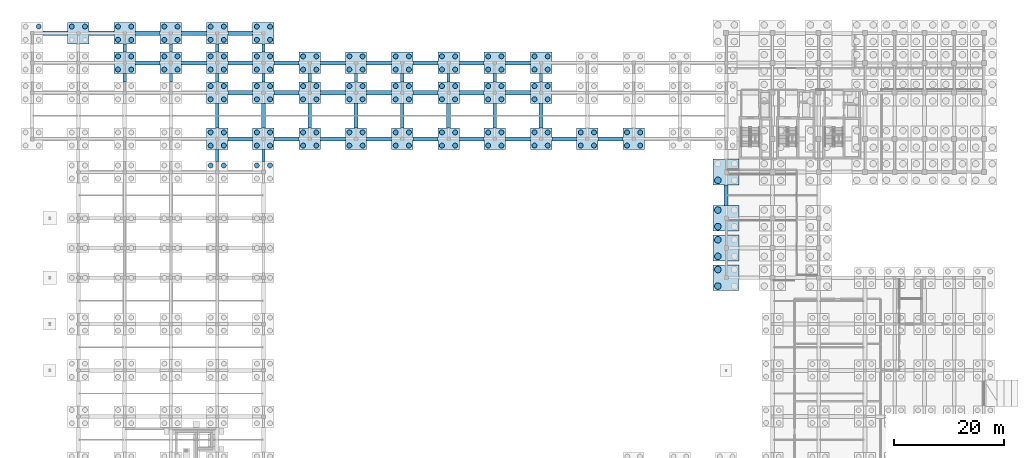
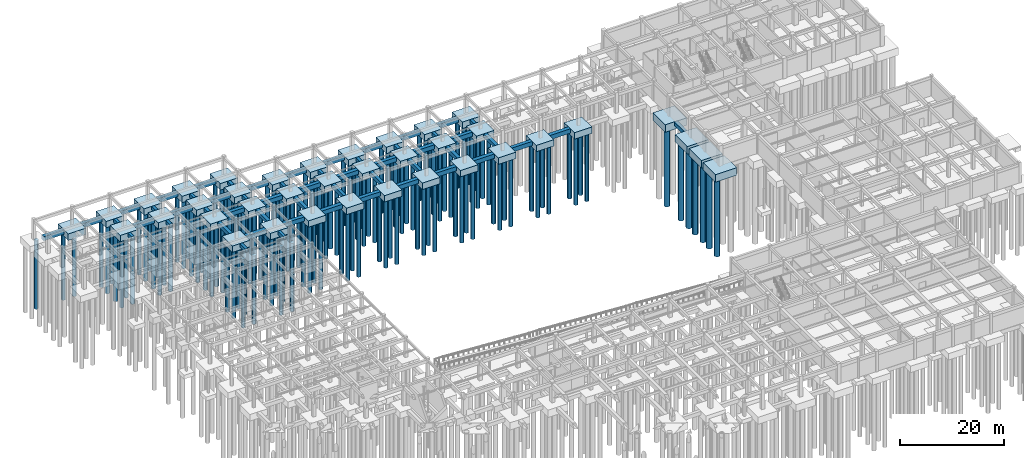
# One storey, part 6 of 49: 142 piles, 92 footings.
"""IFC4 building model written with IfcOpenShell, lengths in metres."""

import ifcopenshell
import ifcopenshell.guid

model = None  # the IFC model being written
_history = None  # IfcOwnerHistory: only IFC2X3 demands one
_inside = {}  # id of a spatial element -> (the spatial element, [elements in it])
_under = {}  # id of a project, library or spatial element -> (it, [spatial elements below it])
_declared = {}  # id of a project -> (the project, [libraries it declares])
_typed = {}  # id of a type object -> (the type object, [elements of that type])
_made_of = {}  # id of a material, layer set ... -> (it, [elements and type objects made of it])


def new_model(schema):
    """Start an empty IFC model of exactly this schema.

    Asked for "IFC4X3", IfcOpenShell would pick the latest addendum, in which some entities
    have other attributes; the version numbers below select the first issue.
    IFC2X3 requires an IfcOwnerHistory on every rooted entity: one is made here for all.
    """
    global model, _history
    if schema == "IFC4X3":
        model = ifcopenshell.file(schema_version=(4, 3, 0, 0))
    else:
        model = ifcopenshell.file(schema=schema)
    _inside.clear()
    _under.clear()
    _declared.clear()
    _typed.clear()
    _made_of.clear()
    _history = None
    if model.schema == "IFC2X3":
        org = make("IfcOrganization", Name="unknown")
        user = make(
            "IfcPersonAndOrganization",
            ThePerson=make("IfcPerson", FamilyName="unknown"),
            TheOrganization=org,
        )
        app = make(
            "IfcApplication",
            ApplicationDeveloper=org,
            Version="unknown",
            ApplicationFullName="unknown",
            ApplicationIdentifier="unknown",
        )
        _history = make(
            "IfcOwnerHistory",
            OwningUser=user,
            OwningApplication=app,
            ChangeAction="ADDED",
            CreationDate=0,
        )
    return model


def make(cls, **values):
    """One entity of the class cls with the attributes given. An attribute that is None is left unset."""
    return model.create_entity(
        cls, **{name: value for name, value in values.items() if value is not None}
    )


def rooted(cls, **values):
    """An entity with a GlobalId (a new one), such as an element, a storey or a relation."""
    return make(cls, GlobalId=ifcopenshell.guid.new(), OwnerHistory=_history, **values)


def si_unit(unit_type, name, prefix=None):
    """IfcSIUnit, for example si_unit("LENGTHUNIT", "METRE", prefix="MILLI")."""
    return make("IfcSIUnit", UnitType=unit_type, Prefix=prefix, Name=name)


def assignment(units):
    """IfcUnitAssignment: the units of a project."""
    return None if units is None else make("IfcUnitAssignment", Units=units)


def point(xyz):
    """IfcCartesianPoint."""
    return None if xyz is None else make("IfcCartesianPoint", Coordinates=xyz)


def direction(xyz):
    """IfcDirection."""
    return None if xyz is None else make("IfcDirection", DirectionRatios=xyz)


def frame(location, z_axis=None, x_axis=None):
    """IfcAxis2Placement3D, a coordinate frame: its origin and axes. An axis left out is left unset."""
    return make(
        "IfcAxis2Placement3D",
        Location=point(location),
        Axis=direction(z_axis),
        RefDirection=direction(x_axis),
    )


def frame_2d(location, x_axis=None):
    """IfcAxis2Placement2D, a coordinate frame in the plane: its origin and x axis."""
    return make(
        "IfcAxis2Placement2D", Location=point(location), RefDirection=direction(x_axis)
    )


def origin():
    """The frame at (0, 0, 0) with its axes left unset."""
    return frame((0.0, 0.0, 0.0))


def origin_2d():
    """The frame at (0, 0) in the plane with its x axis left unset."""
    return frame_2d((0.0, 0.0))


def place(relative_to, where):
    """IfcLocalPlacement: puts the frame where relative to a parent placement (None: the world)."""
    return make(
        "IfcLocalPlacement", PlacementRelTo=relative_to, RelativePlacement=where
    )


def context(
    kind, dimensions, precision=None, world=None, true_north=None, identifier=None
):
    """IfcGeometricRepresentationContext, for example the 3D "Model" context."""
    return make(
        "IfcGeometricRepresentationContext",
        ContextIdentifier=identifier,
        ContextType=kind,
        CoordinateSpaceDimension=dimensions,
        Precision=precision,
        WorldCoordinateSystem=world,
        TrueNorth=true_north,
    )


def subcontext(parent, identifier, kind, view, scale=None):
    """IfcGeometricRepresentationSubContext, for example "Body" below "Model"."""
    return make(
        "IfcGeometricRepresentationSubContext",
        ContextIdentifier=identifier,
        ContextType=kind,
        ParentContext=parent,
        TargetScale=scale,
        TargetView=view,
    )


def project(units=None, contexts=None):
    """IfcProject with its units and contexts."""
    return rooted(
        "IfcProject",
        Name="project",
        RepresentationContexts=contexts,
        UnitsInContext=assignment(units),
    )


def spatial(cls, under=None, at=None, **own):
    """A site, building, storey or space (cls), placed at a placement, below another one or the project."""
    s = rooted(cls, ObjectPlacement=at, **own)
    if under is not None:
        _under.setdefault(under.id(), (under, []))[1].append(s)
    return s


def profile(cls, at=None, kind="AREA", **sizes):
    """A parametric profile (cls). Its sizes go by their IFC names, for example OverallWidth=200.0."""
    return make(cls, ProfileType=kind, Position=at, **sizes)


def rectangle(**sizes):
    """IfcRectangleProfileDef."""
    return profile("IfcRectangleProfileDef", **sizes)


def circle(**sizes):
    """IfcCircleProfileDef."""
    return profile("IfcCircleProfileDef", **sizes)


def extrude(swept, where, along, depth):
    """IfcExtrudedAreaSolid: the profile swept, set in the frame where, extruded along a direction by depth."""
    return make(
        "IfcExtrudedAreaSolid",
        SweptArea=swept,
        Position=where,
        ExtrudedDirection=direction(along),
        Depth=depth,
    )


def shape(context_of_items, identifier, shape_type, items):
    """IfcShapeRepresentation: the items that make up one representation, for example the "Body"."""
    return make(
        "IfcShapeRepresentation",
        ContextOfItems=context_of_items,
        RepresentationIdentifier=identifier,
        RepresentationType=shape_type,
        Items=items,
    )


def material(Name=None, Category=None):
    """IfcMaterial."""
    return make("IfcMaterial", Name=Name, Category=Category)


def material_profile(
    of_material, cross_section, Name=None, Category=None, Priority=None
):
    """IfcMaterialProfile: a cross section and its material."""
    return make(
        "IfcMaterialProfile",
        Name=Name,
        Material=of_material,
        Profile=cross_section,
        Priority=Priority,
        Category=Category,
    )


def profile_set(profiles, Name=None, composite=None):
    """IfcMaterialProfileSet."""
    return make(
        "IfcMaterialProfileSet",
        Name=Name,
        MaterialProfiles=profiles,
        CompositeProfile=composite,
    )


def made_of(thing, what):
    """Note that an element or type object is made of a material, layer set ...; save() writes the relation."""
    if what is not None:
        _made_of.setdefault(what.id(), (what, []))[1].append(thing)
    return thing


def type_object(cls, material=None, **own):
    """A type object (cls), such as IfcWallType, which elements share."""
    return made_of(rooted(cls, **own), material)


def element(
    cls,
    number,
    at=None,
    inside=None,
    cuts=None,
    type_object=None,
    material=None,
    context=None,
    identifier="Body",
    shape_type=None,
    held_by="IfcProductDefinitionShape",
    body=None,
    shapes=None,
    **own,
):
    """One element of the class cls, such as IfcWall. Its Tag is "e" and its number.

    at: its placement. inside: the storey or other place that contains it. cuts: it is an
    opening in that element (IfcRelVoidsElement). A single representation is given by context,
    identifier, shape_type and body (its items); several are given by shapes. held_by: the class
    of the entity that holds the representations. save() writes the other relations.
    """
    e = rooted(cls, Tag="e%d" % number, ObjectPlacement=at, **own)
    if body is not None:
        shapes = [shape(context, identifier, shape_type, body)]
    if shapes is not None:
        e.Representation = make(held_by, Representations=shapes)
    if inside is not None:
        _inside.setdefault(inside.id(), (inside, []))[1].append(e)
    if cuts is not None:
        rooted(
            "IfcRelVoidsElement", RelatingBuildingElement=cuts, RelatedOpeningElement=e
        )
    if type_object is not None:
        _typed.setdefault(type_object.id(), (type_object, []))[1].append(e)
    return made_of(e, material)


def aggregate(whole, parts):
    """IfcRelAggregates: a whole, such as a stair, and the parts it consists of."""
    return rooted("IfcRelAggregates", RelatingObject=whole, RelatedObjects=parts)


def save(model, path):
    """Write the relations noted so far, then the file.

    IfcRelAggregates (storeys below a building ...), IfcRelContainedInSpatialStructure (elements
    in a storey), IfcRelDefinesByType, IfcRelAssociatesMaterial and IfcRelDeclares: one each for
    every whole, place, type object, material and project.
    """
    for whole, parts in _under.values():
        aggregate(whole, parts)
    for where, things in _inside.values():
        rooted(
            "IfcRelContainedInSpatialStructure",
            RelatedElements=things,
            RelatingStructure=where,
        )
    for kind, things in _typed.values():
        rooted("IfcRelDefinesByType", RelatedObjects=things, RelatingType=kind)
    for what, things in _made_of.values():
        rooted("IfcRelAssociatesMaterial", RelatedObjects=things, RelatingMaterial=what)
    for by, libraries in _declared.values():
        rooted("IfcRelDeclares", RelatingContext=by, RelatedDefinitions=libraries)
    model.write(path)


model = new_model("IFC4")

# Units and contexts
model_context = context("Model", 3, precision=1e-05, world=origin(), true_north=direction((0.0, 1.0)))
body_context = subcontext(model_context, "Body", "Model", "MODEL_VIEW")
ifc_project = project(units=[si_unit("LENGTHUNIT", "METRE"), si_unit("AREAUNIT", "SQUARE_METRE"), si_unit("VOLUMEUNIT", "CUBIC_METRE"), si_unit("PLANEANGLEUNIT", "RADIAN"), si_unit("MASSUNIT", "GRAM", prefix="KILO")], contexts=[model_context])

# Site, building, storey
site_placement = place(None, origin())
site = spatial("IfcSite", under=ifc_project, at=site_placement, CompositionType="ELEMENT")
building_placement = place(site_placement, origin())
building = spatial("IfcBuilding", under=site, at=building_placement, Name="Krzemoval Escarpment Law Courts", CompositionType="ELEMENT")
storey_placement = place(building_placement, frame((0.0, 0.0, -4.800048828125)))
storey = spatial("IfcBuildingStorey", under=building, at=storey_placement, Name="B1", CompositionType="ELEMENT", Elevation=-4.800048828125)

# Footings
ifc_material_1 = material(Name="Concrete C35/45", Category="concrete")
footing_type_1 = type_object("IfcFootingType", Name="CAP-4P-3900x3900x1500", PredefinedType="PILE_CAP", material=ifc_material_1)
for number, where, z_axis, x_axis, name in (
    (1, (8.39990234375, 118.800048828125, -1.5), (0.0, 0.0, 1.0), (1.0, 0.0, 0.0), "Pile Cap FC-026"),
    (2, (16.800048828125, 113.39990234375, -1.5), (0.0, 0.0, 1.0), (1.0, 0.0, 0.0), "Pile Cap FC-042"),
    (3, (16.800048828125, 118.800048828125, -1.5), (0.0, 0.0, 1.0), (1.0, 0.0, 0.0), "Pile Cap FC-043"),
    (4, (25.199951171875, 113.39990234375, -1.5), (0.0, 0.0, 1.0), (1.0, 0.0, 0.0), "Pile Cap FC-059"),
    (5, (25.199951171875, 118.800048828125, -1.5), (0.0, 0.0, 1.0), (1.0, 0.0, 0.0), "Pile Cap FC-060"),
    (6, (33.60009765625, 99.60009765625, -1.5), (0.0, 0.0, 1.0), (1.0, 0.0, 0.0), "Pile Cap FC-074"),
    (7, (33.60009765625, 108.0, -1.5), (0.0, 0.0, 1.0), (1.0, 0.0, 0.0), "Pile Cap FC-075"),
    (8, (33.60009765625, 113.39990234375, -1.5), (0.0, 0.0, 1.0), (1.0, 0.0, 0.0), "Pile Cap FC-076"),
    (9, (33.60009765625, 118.800048828125, -1.5), (0.0, 0.0, 1.0), (1.0, 0.0, 0.0), "Pile Cap FC-077"),
    (10, (42.0, 99.60009765625, -1.5), (0.0, 0.0, 1.0), (1.0, 0.0, 0.0), "Pile Cap FC-091"),
    (11, (42.0, 108.0, -1.5), (0.0, 0.0, 1.0), (1.0, 0.0, 0.0), "Pile Cap FC-092"),
    (12, (42.0, 113.39990234375, -1.5), (0.0, 0.0, 1.0), (1.0, 0.0, 0.0), "Pile Cap FC-093"),
    (13, (42.0, 118.800048828125, -1.5), (0.0, 0.0, 1.0), (1.0, 0.0, 0.0), "Pile Cap FC-094"),
    (14, (50.39990234375, 99.60009765625, -1.5), (0.0, 0.0, 1.0), (1.0, 0.0, 0.0), "Pile Cap FC-100"),
    (15, (50.39990234375, 108.0, -1.5), (0.0, 0.0, 1.0), (1.0, 0.0, 0.0), "Pile Cap FC-101"),
    (16, (50.39990234375, 113.39990234375, -1.5), (0.0, 0.0, 1.0), (1.0, 0.0, 0.0), "Pile Cap FC-102"),
    (17, (58.800048828125, 99.60009765625, -1.5), (0.0, 0.0, 1.0), (1.0, 0.0, 0.0), "Pile Cap FC-108"),
    (18, (58.800048828125, 108.0, -1.5), (0.0, 0.0, 1.0), (1.0, 0.0, 0.0), "Pile Cap FC-109"),
    (19, (58.800048828125, 113.39990234375, -1.5), (0.0, 0.0, 1.0), (1.0, 0.0, 0.0), "Pile Cap FC-110"),
    (20, (67.199951171875, 99.60009765625, -1.5), (0.0, 0.0, 1.0), (1.0, 0.0, 0.0), "Pile Cap FC-116"),
    (21, (67.199951171875, 108.0, -1.5), (0.0, 0.0, 1.0), (1.0, 0.0, 0.0), "Pile Cap FC-117"),
    (22, (67.199951171875, 113.39990234375, -1.5), (0.0, 0.0, 1.0), (1.0, 0.0, 0.0), "Pile Cap FC-118"),
    (23, (75.60009765625, 99.60009765625, -1.5), (0.0, 0.0, 1.0), (1.0, 0.0, 0.0), "Pile Cap FC-124"),
    (24, (75.60009765625, 108.0, -1.5), (0.0, 0.0, 1.0), (1.0, 0.0, 0.0), "Pile Cap FC-125"),
    (25, (75.60009765625, 113.39990234375, -1.5), (0.0, 0.0, 1.0), (1.0, 0.0, 0.0), "Pile Cap FC-126"),
    (26, (84.0, 99.60009765625, -1.5), (0.0, 0.0, 1.0), (1.0, 0.0, 0.0), "Pile Cap FC-132"),
    (27, (84.0, 108.0, -1.5), (0.0, 0.0, 1.0), (1.0, 0.0, 0.0), "Pile Cap FC-133"),
    (28, (84.0, 113.39990234375, -1.5), (0.0, 0.0, 1.0), (1.0, 0.0, 0.0), "Pile Cap FC-134"),
    (29, (92.39990234375, 99.60009765625, -1.5), (0.0, 0.0, 1.0), (1.0, 0.0, 0.0), "Pile Cap FC-140"),
    (30, (92.39990234375, 108.0, -1.5), (0.0, 0.0, 1.0), (1.0, 0.0, 0.0), "Pile Cap FC-141"),
    (31, (92.39990234375, 113.39990234375, -1.5), (0.0, 0.0, 1.0), (1.0, 0.0, 0.0), "Pile Cap FC-142"),
    (32, (100.800048828125, 99.60009765625, -1.5), (0.0, 0.0, 1.0), (1.0, 0.0, 0.0), "Pile Cap FC-148"),
    (33, (109.199951171875, 99.60009765625, -1.5), (0.0, 0.0, 1.0), (1.0, 0.0, 0.0), "Pile Cap FC-157"),
):
    element("IfcFooting", number, at=place(storey_placement, frame(where, z_axis=z_axis, x_axis=x_axis)), inside=storey, type_object=footing_type_1, Name=name, PredefinedType="PILE_CAP", context=body_context, shape_type="SweptSolid", body=[
        extrude(rectangle(XDim=3.89990234375, YDim=3.89990234375, at=origin_2d()), origin(), (0.0, 0.0, 1.0), 1.5),
    ])
ifc_material_2 = material(Name="Concrete C35/45", Category="concrete")
footing_type_2 = type_object("IfcFootingType", Name="CAP-4P-4700x4700x1750", PredefinedType="PILE_CAP", material=ifc_material_2)
for number, where, z_axis, x_axis, name in (
    (34, (126.0, 74.39990234375, -1.75), (0.0, 0.0, 1.0), (1.0, 0.0, 0.0), "Pile Cap FC-175"),
    (35, (126.0, 79.800048828125, -1.75), (0.0, 0.0, 1.0), (1.0, 0.0, 0.0), "Pile Cap FC-176"),
    (36, (126.0, 85.199951171875, -1.75), (0.0, 0.0, 1.0), (1.0, 0.0, 0.0), "Pile Cap FC-177"),
    (37, (126.0, 93.60009765625, -1.75), (0.0, 0.0, 1.0), (1.0, 0.0, 0.0), "Pile Cap FC-178"),
):
    element("IfcFooting", number, at=place(storey_placement, frame(where, z_axis=z_axis, x_axis=x_axis)), inside=storey, type_object=footing_type_2, Name=name, PredefinedType="PILE_CAP", context=body_context, shape_type="SweptSolid", body=[
        extrude(rectangle(XDim=4.699951171875, YDim=4.699951171875, at=origin_2d()), origin(), (0.0, 0.0, 1.0), 1.75),
    ])
ifc_material_3 = material(Name="Concrete C35/45", Category="concrete")
footing_type_3 = type_object("IfcFootingType", Name="GB-600x800-L1500", PredefinedType="FOOTING_BEAM", material=ifc_material_3)
for number, where, z_axis, x_axis, name in (
    (38, (16.800048828125, 110.699951171875, -0.7998046875), (0.0, 0.0, 1.0), (0.0, 1.0, 0.0), "Ground Tie Beam GB-251"),
    (39, (16.800048828125, 116.10009765625, -0.7998046875), (0.0, 0.0, 1.0), (0.0, 1.0, 0.0), "Ground Tie Beam GB-252"),
    (40, (25.199951171875, 110.699951171875, -0.7998046875), (0.0, 0.0, 1.0), (0.0, 1.0, 0.0), "Ground Tie Beam GB-267"),
    (41, (25.199951171875, 116.10009765625, -0.7998046875), (0.0, 0.0, 1.0), (0.0, 1.0, 0.0), "Ground Tie Beam GB-268"),
    (42, (33.60009765625, 110.699951171875, -0.7998046875), (0.0, 0.0, 1.0), (0.0, 1.0, 0.0), "Ground Tie Beam GB-283"),
    (43, (33.60009765625, 116.10009765625, -0.7998046875), (0.0, 0.0, 1.0), (0.0, 1.0, 0.0), "Ground Tie Beam GB-284"),
    (44, (42.0, 110.699951171875, -0.7998046875), (0.0, 0.0, 1.0), (0.0, 1.0, 0.0), "Ground Tie Beam GB-298"),
    (45, (42.0, 116.10009765625, -0.7998046875), (0.0, 0.0, 1.0), (0.0, 1.0, 0.0), "Ground Tie Beam GB-299"),
    (46, (50.39990234375, 110.699951171875, -0.7998046875), (0.0, 0.0, 1.0), (0.0, 1.0, 0.0), "Ground Tie Beam GB-304"),
    (47, (58.800048828125, 110.699951171875, -0.7998046875), (0.0, 0.0, 1.0), (0.0, 1.0, 0.0), "Ground Tie Beam GB-309"),
    (48, (67.199951171875, 110.699951171875, -0.7998046875), (0.0, 0.0, 1.0), (0.0, 1.0, 0.0), "Ground Tie Beam GB-314"),
    (49, (75.60009765625, 110.699951171875, -0.7998046875), (0.0, 0.0, 1.0), (0.0, 1.0, 0.0), "Ground Tie Beam GB-319"),
    (50, (84.0, 110.699951171875, -0.7998046875), (0.0, 0.0, 1.0), (0.0, 1.0, 0.0), "Ground Tie Beam GB-324"),
    (51, (92.39990234375, 110.699951171875, -0.7998046875), (0.0, 0.0, 1.0), (0.0, 1.0, 0.0), "Ground Tie Beam GB-329"),
):
    element("IfcFooting", number, at=place(storey_placement, frame(where, z_axis=z_axis, x_axis=x_axis)), inside=storey, type_object=footing_type_3, Name=name, PredefinedType="FOOTING_BEAM", context=body_context, shape_type="SweptSolid", body=[
        extrude(rectangle(XDim=1.5, YDim=0.60009765625, at=origin_2d()), origin(), (0.0, 0.0, 1.0), 0.800048828125),
    ])
ifc_material_4 = material(Name="Concrete C35/45", Category="concrete")
footing_type_4 = type_object("IfcFootingType", Name="GB-600x800-L2100", PredefinedType="FOOTING_BEAM", material=ifc_material_4)
for number, where, z_axis, x_axis, name in (
    (52, (33.60009765625, 96.60009765625, -0.7998046875), (0.0, 0.0, 1.0), (0.0, 1.0, 0.0), "Ground Tie Beam GB-281"),
    (53, (42.0, 96.60009765625, -0.7998046875), (0.0, 0.0, 1.0), (0.0, 1.0, 0.0), "Ground Tie Beam GB-296"),
):
    element("IfcFooting", number, at=place(storey_placement, frame(where, z_axis=z_axis, x_axis=x_axis)), inside=storey, type_object=footing_type_4, Name=name, PredefinedType="FOOTING_BEAM", context=body_context, shape_type="SweptSolid", body=[
        extrude(rectangle(XDim=2.10009765625, YDim=0.60009765625, at=origin_2d()), origin(), (0.0, 0.0, 1.0), 0.800048828125),
    ])
ifc_material_5 = material(Name="Concrete C35/45", Category="concrete")
footing_type_5 = type_object("IfcFootingType", Name="GB-700x900-L3700", PredefinedType="FOOTING_BEAM", material=ifc_material_5)
footing_placement = place(storey_placement, frame((126.0, 89.39990234375, -0.89990234375), z_axis=(0.0, 0.0, 1.0), x_axis=(0.0, 1.0, 0.0)))
element("IfcFooting", 54, at=footing_placement, inside=storey, type_object=footing_type_5, Name="Ground Tie Beam GB-351", PredefinedType="FOOTING_BEAM", context=body_context, shape_type="SweptSolid", body=[
    extrude(rectangle(XDim=3.699951171875, YDim=0.699951171875, at=origin_2d()), origin(), (0.0, 0.0, 1.0), 0.89990234375),
])
ifc_material_6 = material(Name="Concrete C35/45", Category="concrete")
footing_type_6 = type_object("IfcFootingType", Name="GB-700x900-L4500", PredefinedType="FOOTING_BEAM", material=ifc_material_6)
for number, where, z_axis, x_axis, name in (
    (55, (33.60009765625, 103.800048828125, -0.89990234375), (0.0, 0.0, 1.0), (0.0, 1.0, 0.0), "Ground Tie Beam GB-282"),
    (56, (42.0, 103.800048828125, -0.89990234375), (0.0, 0.0, 1.0), (0.0, 1.0, 0.0), "Ground Tie Beam GB-297"),
    (57, (50.39990234375, 103.800048828125, -0.89990234375), (0.0, 0.0, 1.0), (0.0, 1.0, 0.0), "Ground Tie Beam GB-303"),
    (58, (58.800048828125, 103.800048828125, -0.89990234375), (0.0, 0.0, 1.0), (0.0, 1.0, 0.0), "Ground Tie Beam GB-308"),
    (59, (67.199951171875, 103.800048828125, -0.89990234375), (0.0, 0.0, 1.0), (0.0, 1.0, 0.0), "Ground Tie Beam GB-313"),
    (60, (75.60009765625, 103.800048828125, -0.89990234375), (0.0, 0.0, 1.0), (0.0, 1.0, 0.0), "Ground Tie Beam GB-318"),
    (61, (84.0, 103.800048828125, -0.89990234375), (0.0, 0.0, 1.0), (0.0, 1.0, 0.0), "Ground Tie Beam GB-323"),
    (62, (92.39990234375, 103.800048828125, -0.89990234375), (0.0, 0.0, 1.0), (0.0, 1.0, 0.0), "Ground Tie Beam GB-328"),
):
    element("IfcFooting", number, at=place(storey_placement, frame(where, z_axis=z_axis, x_axis=x_axis)), inside=storey, type_object=footing_type_6, Name=name, PredefinedType="FOOTING_BEAM", context=body_context, shape_type="SweptSolid", body=[
        extrude(rectangle(XDim=4.5, YDim=0.699951171875, at=origin_2d()), origin(), (0.0, 0.0, 1.0), 0.89990234375),
    ])
ifc_material_7 = material(Name="Concrete C35/45", Category="concrete")
footing_type_7 = type_object("IfcFootingType", Name="GB-800x1000-L4500", PredefinedType="FOOTING_BEAM", material=ifc_material_7)
for number, where, z_axis, x_axis, name in (
    (63, (37.800048828125, 99.60009765625, -1.0), (0.0, 0.0, 1.0), (1.0, 0.0, 0.0), "Ground Tie Beam GB-156"),
    (64, (46.199951171875, 99.60009765625, -1.0), (0.0, 0.0, 1.0), (1.0, 0.0, 0.0), "Ground Tie Beam GB-157"),
    (65, (54.60009765625, 99.60009765625, -1.0), (0.0, 0.0, 1.0), (1.0, 0.0, 0.0), "Ground Tie Beam GB-158"),
    (66, (63.0, 99.60009765625, -1.0), (0.0, 0.0, 1.0), (1.0, 0.0, 0.0), "Ground Tie Beam GB-159"),
    (67, (71.39990234375, 99.60009765625, -1.0), (0.0, 0.0, 1.0), (1.0, 0.0, 0.0), "Ground Tie Beam GB-160"),
    (68, (79.800048828125, 99.60009765625, -1.0), (0.0, 0.0, 1.0), (1.0, 0.0, 0.0), "Ground Tie Beam GB-161"),
    (69, (88.199951171875, 99.60009765625, -1.0), (0.0, 0.0, 1.0), (1.0, 0.0, 0.0), "Ground Tie Beam GB-162"),
    (70, (96.60009765625, 99.60009765625, -1.0), (0.0, 0.0, 1.0), (1.0, 0.0, 0.0), "Ground Tie Beam GB-163"),
    (71, (105.0, 99.60009765625, -1.0), (0.0, 0.0, 1.0), (1.0, 0.0, 0.0), "Ground Tie Beam GB-164"),
    (72, (37.800048828125, 108.0, -1.0), (0.0, 0.0, 1.0), (1.0, 0.0, 0.0), "Ground Tie Beam GB-174"),
    (73, (46.199951171875, 108.0, -1.0), (0.0, 0.0, 1.0), (1.0, 0.0, 0.0), "Ground Tie Beam GB-175"),
    (74, (54.60009765625, 108.0, -1.0), (0.0, 0.0, 1.0), (1.0, 0.0, 0.0), "Ground Tie Beam GB-176"),
    (75, (63.0, 108.0, -1.0), (0.0, 0.0, 1.0), (1.0, 0.0, 0.0), "Ground Tie Beam GB-177"),
    (76, (71.39990234375, 108.0, -1.0), (0.0, 0.0, 1.0), (1.0, 0.0, 0.0), "Ground Tie Beam GB-178"),
    (77, (79.800048828125, 108.0, -1.0), (0.0, 0.0, 1.0), (1.0, 0.0, 0.0), "Ground Tie Beam GB-179"),
    (78, (88.199951171875, 108.0, -1.0), (0.0, 0.0, 1.0), (1.0, 0.0, 0.0), "Ground Tie Beam GB-180"),
    (79, (21.0, 113.39990234375, -1.0), (0.0, 0.0, 1.0), (1.0, 0.0, 0.0), "Ground Tie Beam GB-190"),
    (80, (29.39990234375, 113.39990234375, -1.0), (0.0, 0.0, 1.0), (1.0, 0.0, 0.0), "Ground Tie Beam GB-191"),
    (81, (37.800048828125, 113.39990234375, -1.0), (0.0, 0.0, 1.0), (1.0, 0.0, 0.0), "Ground Tie Beam GB-192"),
    (82, (46.199951171875, 113.39990234375, -1.0), (0.0, 0.0, 1.0), (1.0, 0.0, 0.0), "Ground Tie Beam GB-193"),
    (83, (54.60009765625, 113.39990234375, -1.0), (0.0, 0.0, 1.0), (1.0, 0.0, 0.0), "Ground Tie Beam GB-194"),
    (84, (63.0, 113.39990234375, -1.0), (0.0, 0.0, 1.0), (1.0, 0.0, 0.0), "Ground Tie Beam GB-195"),
    (85, (71.39990234375, 113.39990234375, -1.0), (0.0, 0.0, 1.0), (1.0, 0.0, 0.0), "Ground Tie Beam GB-196"),
    (86, (79.800048828125, 113.39990234375, -1.0), (0.0, 0.0, 1.0), (1.0, 0.0, 0.0), "Ground Tie Beam GB-197"),
    (87, (88.199951171875, 113.39990234375, -1.0), (0.0, 0.0, 1.0), (1.0, 0.0, 0.0), "Ground Tie Beam GB-198"),
    (88, (4.199951171875, 118.800048828125, -1.0), (0.0, 0.0, 1.0), (1.0, 0.0, 0.0), "Ground Tie Beam GB-206"),
    (89, (12.60009765625, 118.800048828125, -1.0), (0.0, 0.0, 1.0), (1.0, 0.0, 0.0), "Ground Tie Beam GB-207"),
    (90, (21.0, 118.800048828125, -1.0), (0.0, 0.0, 1.0), (1.0, 0.0, 0.0), "Ground Tie Beam GB-208"),
    (91, (29.39990234375, 118.800048828125, -1.0), (0.0, 0.0, 1.0), (1.0, 0.0, 0.0), "Ground Tie Beam GB-209"),
    (92, (37.800048828125, 118.800048828125, -1.0), (0.0, 0.0, 1.0), (1.0, 0.0, 0.0), "Ground Tie Beam GB-210"),
):
    element("IfcFooting", number, at=place(storey_placement, frame(where, z_axis=z_axis, x_axis=x_axis)), inside=storey, type_object=footing_type_7, Name=name, PredefinedType="FOOTING_BEAM", context=body_context, shape_type="SweptSolid", body=[
        extrude(rectangle(XDim=4.5, YDim=0.800048828125, at=origin_2d()), origin(), (0.0, 0.0, 1.0), 1.0),
    ])

# Piles
ifc_material_8 = material(Name="Concrete C35/45", Category="concrete")
ifc_material_profile_1 = material_profile(ifc_material_8, circle(Radius=0.60009765625, at=origin_2d()), Name="PILE D1200")
ifc_profile_set_1 = profile_set([ifc_material_profile_1], Name="Concrete C35/45")
pile_type_1 = type_object("IfcPileType", Name="PILE-D1200-18M", PredefinedType="BORED", material=ifc_profile_set_1)
for number, where, z_axis, x_axis, name in (
    (93, (124.5, 72.89990234375, -1.599853515625), (0.0, 0.0, -1.0), (1.0, 0.0, 0.0), "Bored Pile FP-0639"),
    (94, (124.5, 75.89990234375, -1.599853515625), (0.0, 0.0, -1.0), (1.0, 0.0, 0.0), "Bored Pile FP-0641"),
    (95, (124.5, 78.300048828125, -1.599853515625), (0.0, 0.0, -1.0), (1.0, 0.0, 0.0), "Bored Pile FP-0643"),
    (96, (124.5, 81.300048828125, -1.599853515625), (0.0, 0.0, -1.0), (1.0, 0.0, 0.0), "Bored Pile FP-0645"),
    (97, (124.5, 83.699951171875, -1.599853515625), (0.0, 0.0, -1.0), (1.0, 0.0, 0.0), "Bored Pile FP-0647"),
    (98, (124.5, 86.699951171875, -1.599853515625), (0.0, 0.0, -1.0), (1.0, 0.0, 0.0), "Bored Pile FP-0649"),
    (99, (124.5, 92.10009765625, -1.599853515625), (0.0, 0.0, -1.0), (1.0, 0.0, 0.0), "Bored Pile FP-0651"),
):
    element("IfcPile", number, at=place(storey_placement, frame(where, z_axis=z_axis, x_axis=x_axis)), inside=storey, type_object=pile_type_1, Name=name, PredefinedType="BORED", context=body_context, shape_type="SweptSolid", body=[
        extrude(circle(Radius=0.60009765625, at=origin_2d()), origin(), (0.0, 0.0, 1.0), 18.0),
    ])
ifc_material_9 = material(Name="Concrete C35/45", Category="concrete")
ifc_material_profile_2 = material_profile(ifc_material_9, circle(Radius=0.449951171875, at=origin_2d()), Name="PILE D900")
ifc_profile_set_2 = profile_set([ifc_material_profile_2], Name="Concrete C35/45")
pile_type_2 = type_object("IfcPileType", Name="PILE-D900-16M", PredefinedType="BORED", material=ifc_profile_set_2)
for number, where, z_axis, x_axis, name in (
    (100, (1.199951171875, 120.0, -1.349853515625), (0.0, 0.0, -1.0), (1.0, 0.0, 0.0), "Bored Pile FP-0034"),
    (101, (7.199951171875, 120.0, -1.349853515625), (0.0, 0.0, -1.0), (1.0, 0.0, 0.0), "Bored Pile FP-0093"),
    (102, (9.60009765625, 120.0, -1.349853515625), (0.0, 0.0, -1.0), (1.0, 0.0, 0.0), "Bored Pile FP-0094"),
    (103, (15.60009765625, 112.199951171875, -1.349853515625), (0.0, 0.0, -1.0), (1.0, 0.0, 0.0), "Bored Pile FP-0147"),
    (104, (18.0, 112.199951171875, -1.349853515625), (0.0, 0.0, -1.0), (1.0, 0.0, 0.0), "Bored Pile FP-0148"),
    (105, (15.60009765625, 114.60009765625, -1.349853515625), (0.0, 0.0, -1.0), (1.0, 0.0, 0.0), "Bored Pile FP-0149"),
    (106, (18.0, 114.60009765625, -1.349853515625), (0.0, 0.0, -1.0), (1.0, 0.0, 0.0), "Bored Pile FP-0150"),
    (107, (15.60009765625, 117.60009765625, -1.349853515625), (0.0, 0.0, -1.0), (1.0, 0.0, 0.0), "Bored Pile FP-0151"),
    (108, (18.0, 117.60009765625, -1.349853515625), (0.0, 0.0, -1.0), (1.0, 0.0, 0.0), "Bored Pile FP-0152"),
    (109, (15.60009765625, 120.0, -1.349853515625), (0.0, 0.0, -1.0), (1.0, 0.0, 0.0), "Bored Pile FP-0153"),
    (110, (18.0, 120.0, -1.349853515625), (0.0, 0.0, -1.0), (1.0, 0.0, 0.0), "Bored Pile FP-0154"),
    (111, (24.0, 112.199951171875, -1.349853515625), (0.0, 0.0, -1.0), (1.0, 0.0, 0.0), "Bored Pile FP-0207"),
    (112, (26.39990234375, 112.199951171875, -1.349853515625), (0.0, 0.0, -1.0), (1.0, 0.0, 0.0), "Bored Pile FP-0208"),
    (113, (24.0, 114.60009765625, -1.349853515625), (0.0, 0.0, -1.0), (1.0, 0.0, 0.0), "Bored Pile FP-0209"),
    (114, (26.39990234375, 114.60009765625, -1.349853515625), (0.0, 0.0, -1.0), (1.0, 0.0, 0.0), "Bored Pile FP-0210"),
    (115, (24.0, 117.60009765625, -1.349853515625), (0.0, 0.0, -1.0), (1.0, 0.0, 0.0), "Bored Pile FP-0211"),
    (116, (26.39990234375, 117.60009765625, -1.349853515625), (0.0, 0.0, -1.0), (1.0, 0.0, 0.0), "Bored Pile FP-0212"),
    (117, (24.0, 120.0, -1.349853515625), (0.0, 0.0, -1.0), (1.0, 0.0, 0.0), "Bored Pile FP-0213"),
    (118, (26.39990234375, 120.0, -1.349853515625), (0.0, 0.0, -1.0), (1.0, 0.0, 0.0), "Bored Pile FP-0214"),
    (119, (32.39990234375, 94.800048828125, -1.349853515625), (0.0, 0.0, -1.0), (1.0, 0.0, 0.0), "Bored Pile FP-0257"),
    (120, (34.800048828125, 94.800048828125, -1.349853515625), (0.0, 0.0, -1.0), (1.0, 0.0, 0.0), "Bored Pile FP-0258"),
    (121, (32.39990234375, 98.39990234375, -1.349853515625), (0.0, 0.0, -1.0), (1.0, 0.0, 0.0), "Bored Pile FP-0259"),
    (122, (34.800048828125, 98.39990234375, -1.349853515625), (0.0, 0.0, -1.0), (1.0, 0.0, 0.0), "Bored Pile FP-0260"),
    (123, (32.39990234375, 100.800048828125, -1.349853515625), (0.0, 0.0, -1.0), (1.0, 0.0, 0.0), "Bored Pile FP-0261"),
    (124, (34.800048828125, 100.800048828125, -1.349853515625), (0.0, 0.0, -1.0), (1.0, 0.0, 0.0), "Bored Pile FP-0262"),
    (125, (32.39990234375, 106.800048828125, -1.349853515625), (0.0, 0.0, -1.0), (1.0, 0.0, 0.0), "Bored Pile FP-0263"),
    (126, (34.800048828125, 106.800048828125, -1.349853515625), (0.0, 0.0, -1.0), (1.0, 0.0, 0.0), "Bored Pile FP-0264"),
    (127, (32.39990234375, 109.199951171875, -1.349853515625), (0.0, 0.0, -1.0), (1.0, 0.0, 0.0), "Bored Pile FP-0265"),
    (128, (34.800048828125, 109.199951171875, -1.349853515625), (0.0, 0.0, -1.0), (1.0, 0.0, 0.0), "Bored Pile FP-0266"),
    (129, (32.39990234375, 112.199951171875, -1.349853515625), (0.0, 0.0, -1.0), (1.0, 0.0, 0.0), "Bored Pile FP-0267"),
    (130, (34.800048828125, 112.199951171875, -1.349853515625), (0.0, 0.0, -1.0), (1.0, 0.0, 0.0), "Bored Pile FP-0268"),
    (131, (32.39990234375, 114.60009765625, -1.349853515625), (0.0, 0.0, -1.0), (1.0, 0.0, 0.0), "Bored Pile FP-0269"),
    (132, (34.800048828125, 114.60009765625, -1.349853515625), (0.0, 0.0, -1.0), (1.0, 0.0, 0.0), "Bored Pile FP-0270"),
    (133, (32.39990234375, 117.60009765625, -1.349853515625), (0.0, 0.0, -1.0), (1.0, 0.0, 0.0), "Bored Pile FP-0271"),
    (134, (34.800048828125, 117.60009765625, -1.349853515625), (0.0, 0.0, -1.0), (1.0, 0.0, 0.0), "Bored Pile FP-0272"),
    (135, (32.39990234375, 120.0, -1.349853515625), (0.0, 0.0, -1.0), (1.0, 0.0, 0.0), "Bored Pile FP-0273"),
    (136, (34.800048828125, 120.0, -1.349853515625), (0.0, 0.0, -1.0), (1.0, 0.0, 0.0), "Bored Pile FP-0274"),
    (137, (40.800048828125, 94.800048828125, -1.349853515625), (0.0, 0.0, -1.0), (1.0, 0.0, 0.0), "Bored Pile FP-0317"),
    (138, (43.199951171875, 94.800048828125, -1.349853515625), (0.0, 0.0, -1.0), (1.0, 0.0, 0.0), "Bored Pile FP-0318"),
    (139, (40.800048828125, 98.39990234375, -1.349853515625), (0.0, 0.0, -1.0), (1.0, 0.0, 0.0), "Bored Pile FP-0319"),
    (140, (43.199951171875, 98.39990234375, -1.349853515625), (0.0, 0.0, -1.0), (1.0, 0.0, 0.0), "Bored Pile FP-0320"),
    (141, (40.800048828125, 100.800048828125, -1.349853515625), (0.0, 0.0, -1.0), (1.0, 0.0, 0.0), "Bored Pile FP-0321"),
    (142, (43.199951171875, 100.800048828125, -1.349853515625), (0.0, 0.0, -1.0), (1.0, 0.0, 0.0), "Bored Pile FP-0322"),
    (143, (40.800048828125, 106.800048828125, -1.349853515625), (0.0, 0.0, -1.0), (1.0, 0.0, 0.0), "Bored Pile FP-0323"),
    (144, (43.199951171875, 106.800048828125, -1.349853515625), (0.0, 0.0, -1.0), (1.0, 0.0, 0.0), "Bored Pile FP-0324"),
    (145, (40.800048828125, 109.199951171875, -1.349853515625), (0.0, 0.0, -1.0), (1.0, 0.0, 0.0), "Bored Pile FP-0325"),
    (146, (43.199951171875, 109.199951171875, -1.349853515625), (0.0, 0.0, -1.0), (1.0, 0.0, 0.0), "Bored Pile FP-0326"),
    (147, (40.800048828125, 112.199951171875, -1.349853515625), (0.0, 0.0, -1.0), (1.0, 0.0, 0.0), "Bored Pile FP-0327"),
    (148, (43.199951171875, 112.199951171875, -1.349853515625), (0.0, 0.0, -1.0), (1.0, 0.0, 0.0), "Bored Pile FP-0328"),
    (149, (40.800048828125, 114.60009765625, -1.349853515625), (0.0, 0.0, -1.0), (1.0, 0.0, 0.0), "Bored Pile FP-0329"),
    (150, (43.199951171875, 114.60009765625, -1.349853515625), (0.0, 0.0, -1.0), (1.0, 0.0, 0.0), "Bored Pile FP-0330"),
    (151, (40.800048828125, 117.60009765625, -1.349853515625), (0.0, 0.0, -1.0), (1.0, 0.0, 0.0), "Bored Pile FP-0331"),
    (152, (43.199951171875, 117.60009765625, -1.349853515625), (0.0, 0.0, -1.0), (1.0, 0.0, 0.0), "Bored Pile FP-0332"),
    (153, (40.800048828125, 120.0, -1.349853515625), (0.0, 0.0, -1.0), (1.0, 0.0, 0.0), "Bored Pile FP-0333"),
    (154, (43.199951171875, 120.0, -1.349853515625), (0.0, 0.0, -1.0), (1.0, 0.0, 0.0), "Bored Pile FP-0334"),
    (155, (49.199951171875, 98.39990234375, -1.349853515625), (0.0, 0.0, -1.0), (1.0, 0.0, 0.0), "Bored Pile FP-0353"),
    (156, (51.60009765625, 98.39990234375, -1.349853515625), (0.0, 0.0, -1.0), (1.0, 0.0, 0.0), "Bored Pile FP-0354"),
    (157, (49.199951171875, 100.800048828125, -1.349853515625), (0.0, 0.0, -1.0), (1.0, 0.0, 0.0), "Bored Pile FP-0355"),
    (158, (51.60009765625, 100.800048828125, -1.349853515625), (0.0, 0.0, -1.0), (1.0, 0.0, 0.0), "Bored Pile FP-0356"),
    (159, (49.199951171875, 106.800048828125, -1.349853515625), (0.0, 0.0, -1.0), (1.0, 0.0, 0.0), "Bored Pile FP-0357"),
    (160, (51.60009765625, 106.800048828125, -1.349853515625), (0.0, 0.0, -1.0), (1.0, 0.0, 0.0), "Bored Pile FP-0358"),
    (161, (49.199951171875, 109.199951171875, -1.349853515625), (0.0, 0.0, -1.0), (1.0, 0.0, 0.0), "Bored Pile FP-0359"),
    (162, (51.60009765625, 109.199951171875, -1.349853515625), (0.0, 0.0, -1.0), (1.0, 0.0, 0.0), "Bored Pile FP-0360"),
    (163, (49.199951171875, 112.199951171875, -1.349853515625), (0.0, 0.0, -1.0), (1.0, 0.0, 0.0), "Bored Pile FP-0361"),
    (164, (51.60009765625, 112.199951171875, -1.349853515625), (0.0, 0.0, -1.0), (1.0, 0.0, 0.0), "Bored Pile FP-0362"),
    (165, (49.199951171875, 114.60009765625, -1.349853515625), (0.0, 0.0, -1.0), (1.0, 0.0, 0.0), "Bored Pile FP-0363"),
    (166, (51.60009765625, 114.60009765625, -1.349853515625), (0.0, 0.0, -1.0), (1.0, 0.0, 0.0), "Bored Pile FP-0364"),
    (167, (57.60009765625, 98.39990234375, -1.349853515625), (0.0, 0.0, -1.0), (1.0, 0.0, 0.0), "Bored Pile FP-0383"),
    (168, (60.0, 98.39990234375, -1.349853515625), (0.0, 0.0, -1.0), (1.0, 0.0, 0.0), "Bored Pile FP-0384"),
    (169, (57.60009765625, 100.800048828125, -1.349853515625), (0.0, 0.0, -1.0), (1.0, 0.0, 0.0), "Bored Pile FP-0385"),
    (170, (60.0, 100.800048828125, -1.349853515625), (0.0, 0.0, -1.0), (1.0, 0.0, 0.0), "Bored Pile FP-0386"),
    (171, (57.60009765625, 106.800048828125, -1.349853515625), (0.0, 0.0, -1.0), (1.0, 0.0, 0.0), "Bored Pile FP-0387"),
    (172, (60.0, 106.800048828125, -1.349853515625), (0.0, 0.0, -1.0), (1.0, 0.0, 0.0), "Bored Pile FP-0388"),
    (173, (57.60009765625, 109.199951171875, -1.349853515625), (0.0, 0.0, -1.0), (1.0, 0.0, 0.0), "Bored Pile FP-0389"),
    (174, (60.0, 109.199951171875, -1.349853515625), (0.0, 0.0, -1.0), (1.0, 0.0, 0.0), "Bored Pile FP-0390"),
    (175, (57.60009765625, 112.199951171875, -1.349853515625), (0.0, 0.0, -1.0), (1.0, 0.0, 0.0), "Bored Pile FP-0391"),
    (176, (60.0, 112.199951171875, -1.349853515625), (0.0, 0.0, -1.0), (1.0, 0.0, 0.0), "Bored Pile FP-0392"),
    (177, (57.60009765625, 114.60009765625, -1.349853515625), (0.0, 0.0, -1.0), (1.0, 0.0, 0.0), "Bored Pile FP-0393"),
    (178, (60.0, 114.60009765625, -1.349853515625), (0.0, 0.0, -1.0), (1.0, 0.0, 0.0), "Bored Pile FP-0394"),
    (179, (66.0, 98.39990234375, -1.349853515625), (0.0, 0.0, -1.0), (1.0, 0.0, 0.0), "Bored Pile FP-0413"),
    (180, (68.39990234375, 98.39990234375, -1.349853515625), (0.0, 0.0, -1.0), (1.0, 0.0, 0.0), "Bored Pile FP-0414"),
    (181, (66.0, 100.800048828125, -1.349853515625), (0.0, 0.0, -1.0), (1.0, 0.0, 0.0), "Bored Pile FP-0415"),
    (182, (68.39990234375, 100.800048828125, -1.349853515625), (0.0, 0.0, -1.0), (1.0, 0.0, 0.0), "Bored Pile FP-0416"),
    (183, (66.0, 106.800048828125, -1.349853515625), (0.0, 0.0, -1.0), (1.0, 0.0, 0.0), "Bored Pile FP-0417"),
    (184, (68.39990234375, 106.800048828125, -1.349853515625), (0.0, 0.0, -1.0), (1.0, 0.0, 0.0), "Bored Pile FP-0418"),
    (185, (66.0, 109.199951171875, -1.349853515625), (0.0, 0.0, -1.0), (1.0, 0.0, 0.0), "Bored Pile FP-0419"),
    (186, (68.39990234375, 109.199951171875, -1.349853515625), (0.0, 0.0, -1.0), (1.0, 0.0, 0.0), "Bored Pile FP-0420"),
    (187, (66.0, 112.199951171875, -1.349853515625), (0.0, 0.0, -1.0), (1.0, 0.0, 0.0), "Bored Pile FP-0421"),
    (188, (68.39990234375, 112.199951171875, -1.349853515625), (0.0, 0.0, -1.0), (1.0, 0.0, 0.0), "Bored Pile FP-0422"),
    (189, (66.0, 114.60009765625, -1.349853515625), (0.0, 0.0, -1.0), (1.0, 0.0, 0.0), "Bored Pile FP-0423"),
    (190, (68.39990234375, 114.60009765625, -1.349853515625), (0.0, 0.0, -1.0), (1.0, 0.0, 0.0), "Bored Pile FP-0424"),
    (191, (74.39990234375, 98.39990234375, -1.349853515625), (0.0, 0.0, -1.0), (1.0, 0.0, 0.0), "Bored Pile FP-0443"),
    (192, (76.800048828125, 98.39990234375, -1.349853515625), (0.0, 0.0, -1.0), (1.0, 0.0, 0.0), "Bored Pile FP-0444"),
    (193, (74.39990234375, 100.800048828125, -1.349853515625), (0.0, 0.0, -1.0), (1.0, 0.0, 0.0), "Bored Pile FP-0445"),
    (194, (76.800048828125, 100.800048828125, -1.349853515625), (0.0, 0.0, -1.0), (1.0, 0.0, 0.0), "Bored Pile FP-0446"),
    (195, (74.39990234375, 106.800048828125, -1.349853515625), (0.0, 0.0, -1.0), (1.0, 0.0, 0.0), "Bored Pile FP-0447"),
    (196, (76.800048828125, 106.800048828125, -1.349853515625), (0.0, 0.0, -1.0), (1.0, 0.0, 0.0), "Bored Pile FP-0448"),
    (197, (74.39990234375, 109.199951171875, -1.349853515625), (0.0, 0.0, -1.0), (1.0, 0.0, 0.0), "Bored Pile FP-0449"),
    (198, (76.800048828125, 109.199951171875, -1.349853515625), (0.0, 0.0, -1.0), (1.0, 0.0, 0.0), "Bored Pile FP-0450"),
    (199, (74.39990234375, 112.199951171875, -1.349853515625), (0.0, 0.0, -1.0), (1.0, 0.0, 0.0), "Bored Pile FP-0451"),
    (200, (76.800048828125, 112.199951171875, -1.349853515625), (0.0, 0.0, -1.0), (1.0, 0.0, 0.0), "Bored Pile FP-0452"),
    (201, (74.39990234375, 114.60009765625, -1.349853515625), (0.0, 0.0, -1.0), (1.0, 0.0, 0.0), "Bored Pile FP-0453"),
    (202, (76.800048828125, 114.60009765625, -1.349853515625), (0.0, 0.0, -1.0), (1.0, 0.0, 0.0), "Bored Pile FP-0454"),
    (203, (82.800048828125, 98.39990234375, -1.349853515625), (0.0, 0.0, -1.0), (1.0, 0.0, 0.0), "Bored Pile FP-0473"),
    (204, (85.199951171875, 98.39990234375, -1.349853515625), (0.0, 0.0, -1.0), (1.0, 0.0, 0.0), "Bored Pile FP-0474"),
    (205, (82.800048828125, 100.800048828125, -1.349853515625), (0.0, 0.0, -1.0), (1.0, 0.0, 0.0), "Bored Pile FP-0475"),
    (206, (85.199951171875, 100.800048828125, -1.349853515625), (0.0, 0.0, -1.0), (1.0, 0.0, 0.0), "Bored Pile FP-0476"),
    (207, (82.800048828125, 106.800048828125, -1.349853515625), (0.0, 0.0, -1.0), (1.0, 0.0, 0.0), "Bored Pile FP-0477"),
    (208, (85.199951171875, 106.800048828125, -1.349853515625), (0.0, 0.0, -1.0), (1.0, 0.0, 0.0), "Bored Pile FP-0478"),
    (209, (82.800048828125, 109.199951171875, -1.349853515625), (0.0, 0.0, -1.0), (1.0, 0.0, 0.0), "Bored Pile FP-0479"),
    (210, (85.199951171875, 109.199951171875, -1.349853515625), (0.0, 0.0, -1.0), (1.0, 0.0, 0.0), "Bored Pile FP-0480"),
    (211, (82.800048828125, 112.199951171875, -1.349853515625), (0.0, 0.0, -1.0), (1.0, 0.0, 0.0), "Bored Pile FP-0481"),
    (212, (85.199951171875, 112.199951171875, -1.349853515625), (0.0, 0.0, -1.0), (1.0, 0.0, 0.0), "Bored Pile FP-0482"),
    (213, (82.800048828125, 114.60009765625, -1.349853515625), (0.0, 0.0, -1.0), (1.0, 0.0, 0.0), "Bored Pile FP-0483"),
    (214, (85.199951171875, 114.60009765625, -1.349853515625), (0.0, 0.0, -1.0), (1.0, 0.0, 0.0), "Bored Pile FP-0484"),
    (215, (91.199951171875, 98.39990234375, -1.349853515625), (0.0, 0.0, -1.0), (1.0, 0.0, 0.0), "Bored Pile FP-0503"),
    (216, (93.60009765625, 98.39990234375, -1.349853515625), (0.0, 0.0, -1.0), (1.0, 0.0, 0.0), "Bored Pile FP-0504"),
    (217, (91.199951171875, 100.800048828125, -1.349853515625), (0.0, 0.0, -1.0), (1.0, 0.0, 0.0), "Bored Pile FP-0505"),
    (218, (93.60009765625, 100.800048828125, -1.349853515625), (0.0, 0.0, -1.0), (1.0, 0.0, 0.0), "Bored Pile FP-0506"),
    (219, (91.199951171875, 106.800048828125, -1.349853515625), (0.0, 0.0, -1.0), (1.0, 0.0, 0.0), "Bored Pile FP-0507"),
    (220, (93.60009765625, 106.800048828125, -1.349853515625), (0.0, 0.0, -1.0), (1.0, 0.0, 0.0), "Bored Pile FP-0508"),
    (221, (91.199951171875, 109.199951171875, -1.349853515625), (0.0, 0.0, -1.0), (1.0, 0.0, 0.0), "Bored Pile FP-0509"),
    (222, (93.60009765625, 109.199951171875, -1.349853515625), (0.0, 0.0, -1.0), (1.0, 0.0, 0.0), "Bored Pile FP-0510"),
    (223, (91.199951171875, 112.199951171875, -1.349853515625), (0.0, 0.0, -1.0), (1.0, 0.0, 0.0), "Bored Pile FP-0511"),
    (224, (93.60009765625, 112.199951171875, -1.349853515625), (0.0, 0.0, -1.0), (1.0, 0.0, 0.0), "Bored Pile FP-0512"),
    (225, (91.199951171875, 114.60009765625, -1.349853515625), (0.0, 0.0, -1.0), (1.0, 0.0, 0.0), "Bored Pile FP-0513"),
    (226, (93.60009765625, 114.60009765625, -1.349853515625), (0.0, 0.0, -1.0), (1.0, 0.0, 0.0), "Bored Pile FP-0514"),
    (227, (99.60009765625, 98.39990234375, -1.349853515625), (0.0, 0.0, -1.0), (1.0, 0.0, 0.0), "Bored Pile FP-0533"),
    (228, (102.0, 98.39990234375, -1.349853515625), (0.0, 0.0, -1.0), (1.0, 0.0, 0.0), "Bored Pile FP-0534"),
    (229, (99.60009765625, 100.800048828125, -1.349853515625), (0.0, 0.0, -1.0), (1.0, 0.0, 0.0), "Bored Pile FP-0535"),
    (230, (102.0, 100.800048828125, -1.349853515625), (0.0, 0.0, -1.0), (1.0, 0.0, 0.0), "Bored Pile FP-0536"),
    (231, (108.0, 98.39990234375, -1.349853515625), (0.0, 0.0, -1.0), (1.0, 0.0, 0.0), "Bored Pile FP-0567"),
    (232, (110.39990234375, 98.39990234375, -1.349853515625), (0.0, 0.0, -1.0), (1.0, 0.0, 0.0), "Bored Pile FP-0568"),
    (233, (108.0, 100.800048828125, -1.349853515625), (0.0, 0.0, -1.0), (1.0, 0.0, 0.0), "Bored Pile FP-0569"),
    (234, (110.39990234375, 100.800048828125, -1.349853515625), (0.0, 0.0, -1.0), (1.0, 0.0, 0.0), "Bored Pile FP-0570"),
):
    element("IfcPile", number, at=place(storey_placement, frame(where, z_axis=z_axis, x_axis=x_axis)), inside=storey, type_object=pile_type_2, Name=name, PredefinedType="BORED", context=body_context, shape_type="SweptSolid", body=[
        extrude(circle(Radius=0.449951171875, at=origin_2d()), origin(), (0.0, 0.0, 1.0), 16.0),
    ])

save(model, "model.ifc")
